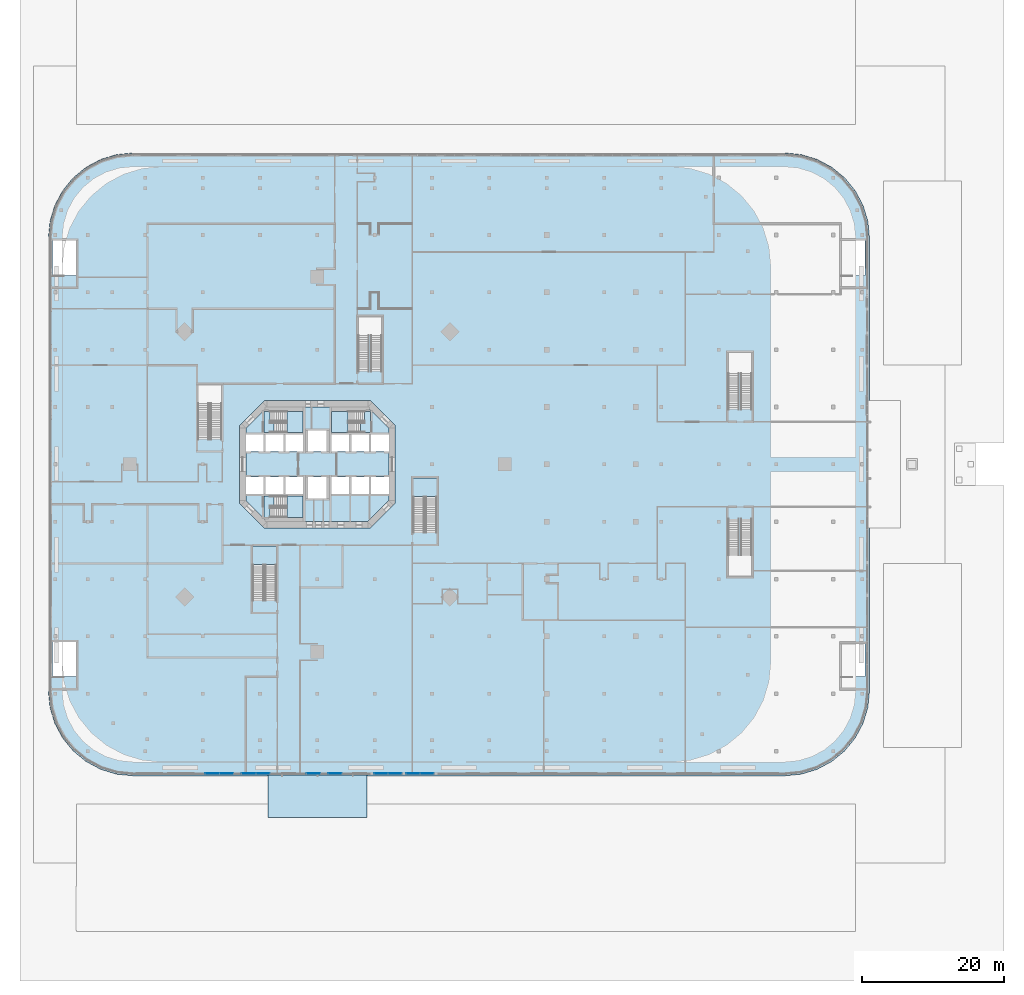
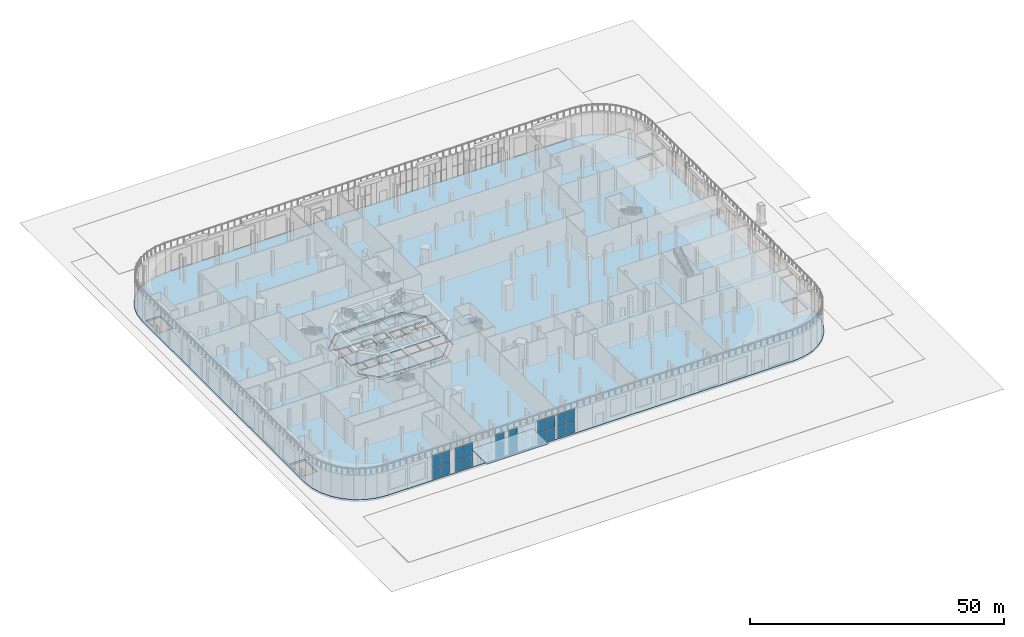
# One storey, part 7 of 32: 21 plates, 13 slabs, 11 elements without a shape of their own.
"""IFC4 building model written with IfcOpenShell, lengths in metres."""

import ifcopenshell
import ifcopenshell.guid

model = None  # the IFC model being written
_history = None  # IfcOwnerHistory: only IFC2X3 demands one
_inside = {}  # id of a spatial element -> (the spatial element, [elements in it])
_under = {}  # id of a project, library or spatial element -> (it, [spatial elements below it])
_declared = {}  # id of a project -> (the project, [libraries it declares])
_typed = {}  # id of a type object -> (the type object, [elements of that type])
_made_of = {}  # id of a material, layer set ... -> (it, [elements and type objects made of it])


def new_model(schema):
    """Start an empty IFC model of exactly this schema.

    Asked for "IFC4X3", IfcOpenShell would pick the latest addendum, in which some entities
    have other attributes; the version numbers below select the first issue.
    IFC2X3 requires an IfcOwnerHistory on every rooted entity: one is made here for all.
    """
    global model, _history
    if schema == "IFC4X3":
        model = ifcopenshell.file(schema_version=(4, 3, 0, 0))
    else:
        model = ifcopenshell.file(schema=schema)
    _inside.clear()
    _under.clear()
    _declared.clear()
    _typed.clear()
    _made_of.clear()
    _history = None
    if model.schema == "IFC2X3":
        org = make("IfcOrganization", Name="unknown")
        user = make(
            "IfcPersonAndOrganization",
            ThePerson=make("IfcPerson", FamilyName="unknown"),
            TheOrganization=org,
        )
        app = make(
            "IfcApplication",
            ApplicationDeveloper=org,
            Version="unknown",
            ApplicationFullName="unknown",
            ApplicationIdentifier="unknown",
        )
        _history = make(
            "IfcOwnerHistory",
            OwningUser=user,
            OwningApplication=app,
            ChangeAction="ADDED",
            CreationDate=0,
        )
    return model


def make(cls, **values):
    """One entity of the class cls with the attributes given. An attribute that is None is left unset."""
    return model.create_entity(
        cls, **{name: value for name, value in values.items() if value is not None}
    )


def rooted(cls, **values):
    """An entity with a GlobalId (a new one), such as an element, a storey or a relation."""
    return make(cls, GlobalId=ifcopenshell.guid.new(), OwnerHistory=_history, **values)


def si_unit(unit_type, name, prefix=None):
    """IfcSIUnit, for example si_unit("LENGTHUNIT", "METRE", prefix="MILLI")."""
    return make("IfcSIUnit", UnitType=unit_type, Prefix=prefix, Name=name)


def assignment(units):
    """IfcUnitAssignment: the units of a project."""
    return None if units is None else make("IfcUnitAssignment", Units=units)


def point(xyz):
    """IfcCartesianPoint."""
    return None if xyz is None else make("IfcCartesianPoint", Coordinates=xyz)


def direction(xyz):
    """IfcDirection."""
    return None if xyz is None else make("IfcDirection", DirectionRatios=xyz)


def frame(location, z_axis=None, x_axis=None):
    """IfcAxis2Placement3D, a coordinate frame: its origin and axes. An axis left out is left unset."""
    return make(
        "IfcAxis2Placement3D",
        Location=point(location),
        Axis=direction(z_axis),
        RefDirection=direction(x_axis),
    )


def frame_2d(location, x_axis=None):
    """IfcAxis2Placement2D, a coordinate frame in the plane: its origin and x axis."""
    return make(
        "IfcAxis2Placement2D", Location=point(location), RefDirection=direction(x_axis)
    )


def origin():
    """The frame at (0, 0, 0) with its axes left unset."""
    return frame((0.0, 0.0, 0.0))


def origin_2d():
    """The frame at (0, 0) in the plane with its x axis left unset."""
    return frame_2d((0.0, 0.0))


def place(relative_to, where):
    """IfcLocalPlacement: puts the frame where relative to a parent placement (None: the world)."""
    return make(
        "IfcLocalPlacement", PlacementRelTo=relative_to, RelativePlacement=where
    )


def context(
    kind, dimensions, precision=None, world=None, true_north=None, identifier=None
):
    """IfcGeometricRepresentationContext, for example the 3D "Model" context."""
    return make(
        "IfcGeometricRepresentationContext",
        ContextIdentifier=identifier,
        ContextType=kind,
        CoordinateSpaceDimension=dimensions,
        Precision=precision,
        WorldCoordinateSystem=world,
        TrueNorth=true_north,
    )


def subcontext(parent, identifier, kind, view, scale=None):
    """IfcGeometricRepresentationSubContext, for example "Body" below "Model"."""
    return make(
        "IfcGeometricRepresentationSubContext",
        ContextIdentifier=identifier,
        ContextType=kind,
        ParentContext=parent,
        TargetScale=scale,
        TargetView=view,
    )


def project(units=None, contexts=None):
    """IfcProject with its units and contexts."""
    return rooted(
        "IfcProject",
        Name="project",
        RepresentationContexts=contexts,
        UnitsInContext=assignment(units),
    )


def spatial(cls, under=None, at=None, **own):
    """A site, building, storey or space (cls), placed at a placement, below another one or the project."""
    s = rooted(cls, ObjectPlacement=at, **own)
    if under is not None:
        _under.setdefault(under.id(), (under, []))[1].append(s)
    return s


def polyline(points):
    """IfcPolyline through the points."""
    return make("IfcPolyline", Points=[point(p) for p in points])


def profile(cls, at=None, kind="AREA", **sizes):
    """A parametric profile (cls). Its sizes go by their IFC names, for example OverallWidth=200.0."""
    return make(cls, ProfileType=kind, Position=at, **sizes)


def rectangle(**sizes):
    """IfcRectangleProfileDef."""
    return profile("IfcRectangleProfileDef", **sizes)


def outline(outer, holes=None, kind="AREA"):
    """IfcArbitraryClosedProfileDef: a profile drawn as a closed curve; with holes, ...WithVoids."""
    if holes is None:
        return make("IfcArbitraryClosedProfileDef", ProfileType=kind, OuterCurve=outer)
    return make(
        "IfcArbitraryProfileDefWithVoids",
        ProfileType=kind,
        OuterCurve=outer,
        InnerCurves=holes,
    )


def extrude(swept, where, along, depth):
    """IfcExtrudedAreaSolid: the profile swept, set in the frame where, extruded along a direction by depth."""
    return make(
        "IfcExtrudedAreaSolid",
        SweptArea=swept,
        Position=where,
        ExtrudedDirection=direction(along),
        Depth=depth,
    )


def shape(context_of_items, identifier, shape_type, items):
    """IfcShapeRepresentation: the items that make up one representation, for example the "Body"."""
    return make(
        "IfcShapeRepresentation",
        ContextOfItems=context_of_items,
        RepresentationIdentifier=identifier,
        RepresentationType=shape_type,
        Items=items,
    )


def material(Name=None, Category=None):
    """IfcMaterial."""
    return make("IfcMaterial", Name=Name, Category=Category)


def layer(
    of_material, thickness, ventilated=None, Name=None, Category=None, Priority=None
):
    """IfcMaterialLayer: one layer of a wall or slab, of a material (None: an air gap)."""
    return make(
        "IfcMaterialLayer",
        Material=of_material,
        LayerThickness=thickness,
        IsVentilated=ventilated,
        Name=Name,
        Category=Category,
        Priority=Priority,
    )


def layer_set(layers, Name=None):
    """IfcMaterialLayerSet."""
    return make("IfcMaterialLayerSet", MaterialLayers=layers, LayerSetName=Name)


def made_of(thing, what):
    """Note that an element or type object is made of a material, layer set ...; save() writes the relation."""
    if what is not None:
        _made_of.setdefault(what.id(), (what, []))[1].append(thing)
    return thing


def type_object(cls, material=None, **own):
    """A type object (cls), such as IfcWallType, which elements share."""
    return made_of(rooted(cls, **own), material)


def element(
    cls,
    number,
    at=None,
    inside=None,
    cuts=None,
    type_object=None,
    material=None,
    context=None,
    identifier="Body",
    shape_type=None,
    held_by="IfcProductDefinitionShape",
    body=None,
    shapes=None,
    **own,
):
    """One element of the class cls, such as IfcWall. Its Tag is "e" and its number.

    at: its placement. inside: the storey or other place that contains it. cuts: it is an
    opening in that element (IfcRelVoidsElement). A single representation is given by context,
    identifier, shape_type and body (its items); several are given by shapes. held_by: the class
    of the entity that holds the representations. save() writes the other relations.
    """
    e = rooted(cls, Tag="e%d" % number, ObjectPlacement=at, **own)
    if body is not None:
        shapes = [shape(context, identifier, shape_type, body)]
    if shapes is not None:
        e.Representation = make(held_by, Representations=shapes)
    if inside is not None:
        _inside.setdefault(inside.id(), (inside, []))[1].append(e)
    if cuts is not None:
        rooted(
            "IfcRelVoidsElement", RelatingBuildingElement=cuts, RelatedOpeningElement=e
        )
    if type_object is not None:
        _typed.setdefault(type_object.id(), (type_object, []))[1].append(e)
    return made_of(e, material)


def aggregate(whole, parts):
    """IfcRelAggregates: a whole, such as a stair, and the parts it consists of."""
    return rooted("IfcRelAggregates", RelatingObject=whole, RelatedObjects=parts)


def save(model, path):
    """Write the relations noted so far, then the file.

    IfcRelAggregates (storeys below a building ...), IfcRelContainedInSpatialStructure (elements
    in a storey), IfcRelDefinesByType, IfcRelAssociatesMaterial and IfcRelDeclares: one each for
    every whole, place, type object, material and project.
    """
    for whole, parts in _under.values():
        aggregate(whole, parts)
    for where, things in _inside.values():
        rooted(
            "IfcRelContainedInSpatialStructure",
            RelatedElements=things,
            RelatingStructure=where,
        )
    for kind, things in _typed.values():
        rooted("IfcRelDefinesByType", RelatedObjects=things, RelatingType=kind)
    for what, things in _made_of.values():
        rooted("IfcRelAssociatesMaterial", RelatedObjects=things, RelatingMaterial=what)
    for by, libraries in _declared.values():
        rooted("IfcRelDeclares", RelatingContext=by, RelatedDefinitions=libraries)
    model.write(path)


model = new_model("IFC4")

# Units and contexts
model_context = context("Model", 3, precision=1e-05, world=origin(), true_north=direction((0.0, 1.0)))
body_context = subcontext(model_context, "Body", "Model", "MODEL_VIEW")
ifc_project = project(units=[si_unit("LENGTHUNIT", "METRE"), si_unit("AREAUNIT", "SQUARE_METRE"), si_unit("VOLUMEUNIT", "CUBIC_METRE"), si_unit("PLANEANGLEUNIT", "RADIAN"), si_unit("MASSUNIT", "GRAM", prefix="KILO")], contexts=[model_context])

# Site, building, storey
site_placement = place(None, origin())
site = spatial("IfcSite", under=ifc_project, at=site_placement, CompositionType="ELEMENT")
building_placement = place(site_placement, origin())
building = spatial("IfcBuilding", under=site, at=building_placement, Name="Torre Triforio", CompositionType="ELEMENT")
storey_placement = place(building_placement, origin())
storey = spatial("IfcBuildingStorey", under=building, at=storey_placement, Name="L00", CompositionType="ELEMENT", Elevation=0.0)

# Slab
ifc_material_1 = material(Name="Concrete C60", Category="concrete")
ifc_layer_1 = layer(ifc_material_1, 0.320068359375)
ifc_layer_set_1 = layer_set([ifc_layer_1], Name="Concrete C60")
slab_type_1 = type_object("IfcSlabType", Name="Core floor slab 320 mm C60 REI 120", PredefinedType="FLOOR", material=ifc_layer_set_1)
slab_1_placement = place(storey_placement, frame((0.0, 0.0, -0.320068359375)))
element("IfcSlab", 1, at=slab_1_placement, inside=storey, type_object=slab_type_1, Name="Core floor slab", PredefinedType="FLOOR", context=body_context, shape_type="SweptSolid", body=[
    extrude(outline(polyline([(10.10009765625, -5.10009765625), (7.10009765625, -8.10009765625), (-7.10009765625, -8.10009765625), (-10.10009765625, -5.10009765625), (-10.10009765625, -4.199951171875), (-7.60009765625, -4.199951171875), (-7.60009765625, -1.800048828125), (-10.10009765625, -1.800048828125), (-10.10009765625, 1.800048828125), (-7.60009765625, 1.800048828125), (-7.60009765625, 4.199951171875), (-10.10009765625, 4.199951171875), (-10.10009765625, 5.10009765625), (-7.10009765625, 8.10009765625), (7.10009765625, 8.10009765625), (10.10009765625, 5.10009765625), (10.10009765625, 4.199951171875), (7.60009765625, 4.199951171875), (7.60009765625, 1.800048828125), (10.10009765625, 1.800048828125), (10.10009765625, -1.800048828125), (7.60009765625, -1.800048828125), (7.60009765625, -4.199951171875), (10.10009765625, -4.199951171875), (10.10009765625, -5.10009765625)]), holes=[polyline([(-4.800048828125, -1.800048828125), (-7.300048828125, -1.800048828125), (-7.300048828125, -4.199951171875), (-4.800048828125, -4.199951171875), (-4.800048828125, -1.800048828125)]), polyline([(-2.0, -1.800048828125), (-4.5, -1.800048828125), (-4.5, -4.199951171875), (-2.0, -4.199951171875), (-2.0, -1.800048828125)]), polyline([(-4.800048828125, 4.199951171875), (-7.300048828125, 4.199951171875), (-7.300048828125, 1.800048828125), (-4.800048828125, 1.800048828125), (-4.800048828125, 4.199951171875)]), polyline([(-2.0, 4.199951171875), (-4.5, 4.199951171875), (-4.5, 1.800048828125), (-2.0, 1.800048828125), (-2.0, 4.199951171875)]), polyline([(1.300048828125, 4.800048828125), (-1.300048828125, 4.800048828125), (-1.300048828125, 1.800048828125), (1.300048828125, 1.800048828125), (1.300048828125, 4.800048828125)]), polyline([(-1.300048828125, -1.800048828125), (-1.300048828125, -4.800048828125), (1.300048828125, -4.800048828125), (1.300048828125, -1.800048828125), (-1.300048828125, -1.800048828125)]), polyline([(4.5, -1.800048828125), (2.0, -1.800048828125), (2.0, -4.199951171875), (4.5, -4.199951171875), (4.5, -1.800048828125)]), polyline([(7.300048828125, -1.800048828125), (4.800048828125, -1.800048828125), (4.800048828125, -4.199951171875), (7.300048828125, -4.199951171875), (7.300048828125, -1.800048828125)]), polyline([(4.5, 4.199951171875), (2.0, 4.199951171875), (2.0, 1.800048828125), (4.5, 1.800048828125), (4.5, 4.199951171875)]), polyline([(7.300048828125, 4.199951171875), (4.800048828125, 4.199951171875), (4.800048828125, 1.800048828125), (7.300048828125, 1.800048828125), (7.300048828125, 4.199951171875)])]), origin(), (0.0, 0.0, 1.0), 0.320068359375),
])

# Curtain wall, plates
ifc_material_2 = material(Name="Aluminium mullion and transom frame with clear laminated glass", Category="aluminium")
curtain_wall_type = type_object("IfcCurtainWallType", Name="Studio foyer curtain wall ECW2", PredefinedType="NOTDEFINED", material=ifc_material_2)
curtain_wall_1_placement = place(storey_placement, origin())
curtain_wall_1 = element("IfcCurtainWall", 2, at=curtain_wall_1_placement, inside=storey, type_object=curtain_wall_type, Name="Studio foyer curtain wall L00 36.1.2.1", PredefinedType="NOTDEFINED")
ifc_material_3 = material(Name="Clear laminated glass", Category="glass")
ifc_layer_2 = layer(ifc_material_3, 0.030029296875)
ifc_layer_set_2 = layer_set([ifc_layer_2], Name="Clear laminated glass")
plate_type_1 = type_object("IfcPlateType", Name="ECW2 glass panel 30", PredefinedType="CURTAIN_PANEL", material=ifc_layer_set_2)
plate_1_placement = place(storey_placement, frame((-14.855712890625, -43.675048828125, 0.06982421875), z_axis=(0.0, 0.0, 1.0), x_axis=(1.0, 0.0, 0.0)))
plate_1 = element("IfcPlate", 3, at=plate_1_placement, type_object=plate_type_1, Name="ECW2 panel 1.1", PredefinedType="CURTAIN_PANEL", context=body_context, shape_type="SweptSolid", body=[
    extrude(rectangle(XDim=1.93505859375, YDim=0.030029296875, at=origin_2d()), origin(), (0.0, 0.0, 1.0), 2.735107421875),
])
plate_2_placement = place(storey_placement, frame((-14.855712890625, -43.675048828125, 2.875), z_axis=(0.0, 0.0, 1.0), x_axis=(1.0, 0.0, 0.0)))
plate_2 = element("IfcPlate", 4, at=plate_2_placement, type_object=plate_type_1, Name="ECW2 panel 1.2", PredefinedType="CURTAIN_PANEL", context=body_context, shape_type="SweptSolid", body=[
    extrude(rectangle(XDim=1.93505859375, YDim=0.030029296875, at=origin_2d()), origin(), (0.0, 0.0, 1.0), 2.735107421875),
])
plate_3_placement = place(storey_placement, frame((-12.86083984375, -43.675048828125, 0.06982421875), z_axis=(0.0, 0.0, 1.0), x_axis=(1.0, 0.0, 0.0)))
plate_3 = element("IfcPlate", 5, at=plate_3_placement, type_object=plate_type_1, Name="ECW2 panel 2.1", PredefinedType="CURTAIN_PANEL", context=body_context, shape_type="SweptSolid", body=[
    extrude(rectangle(XDim=1.93505859375, YDim=0.030029296875, at=origin_2d()), origin(), (0.0, 0.0, 1.0), 2.735107421875),
])
plate_4_placement = place(storey_placement, frame((-12.86083984375, -43.675048828125, 2.875), z_axis=(0.0, 0.0, 1.0), x_axis=(1.0, 0.0, 0.0)))
plate_4 = element("IfcPlate", 6, at=plate_4_placement, type_object=plate_type_1, Name="ECW2 panel 2.2", PredefinedType="CURTAIN_PANEL", context=body_context, shape_type="SweptSolid", body=[
    extrude(rectangle(XDim=1.93505859375, YDim=0.030029296875, at=origin_2d()), origin(), (0.0, 0.0, 1.0), 2.735107421875),
])
aggregate(curtain_wall_1, [plate_1, plate_2, plate_3, plate_4])

curtain_wall_2_placement = place(storey_placement, origin())
curtain_wall_2 = element("IfcCurtainWall", 7, at=curtain_wall_2_placement, inside=storey, type_object=curtain_wall_type, Name="Studio foyer curtain wall L00 36.1.2.2", PredefinedType="NOTDEFINED")
plate_5_placement = place(storey_placement, frame((-9.689208984375, -43.675048828125, 0.06982421875), z_axis=(0.0, 0.0, 1.0), x_axis=(1.0, 0.0, 0.0)))
plate_5 = element("IfcPlate", 8, at=plate_5_placement, type_object=plate_type_1, Name="ECW2 panel 1.1", PredefinedType="CURTAIN_PANEL", context=body_context, shape_type="SweptSolid", body=[
    extrude(rectangle(XDim=1.93505859375, YDim=0.030029296875, at=origin_2d()), origin(), (0.0, 0.0, 1.0), 2.735107421875),
])
plate_6_placement = place(storey_placement, frame((-9.689208984375, -43.675048828125, 2.875), z_axis=(0.0, 0.0, 1.0), x_axis=(1.0, 0.0, 0.0)))
plate_6 = element("IfcPlate", 9, at=plate_6_placement, type_object=plate_type_1, Name="ECW2 panel 1.2", PredefinedType="CURTAIN_PANEL", context=body_context, shape_type="SweptSolid", body=[
    extrude(rectangle(XDim=1.93505859375, YDim=0.030029296875, at=origin_2d()), origin(), (0.0, 0.0, 1.0), 2.735107421875),
])
plate_7_placement = place(storey_placement, frame((-7.694091796875, -43.675048828125, 0.06982421875), z_axis=(0.0, 0.0, 1.0), x_axis=(1.0, 0.0, 0.0)))
plate_7 = element("IfcPlate", 10, at=plate_7_placement, type_object=plate_type_1, Name="ECW2 panel 2.1", PredefinedType="CURTAIN_PANEL", context=body_context, shape_type="SweptSolid", body=[
    extrude(rectangle(XDim=1.93505859375, YDim=0.030029296875, at=origin_2d()), origin(), (0.0, 0.0, 1.0), 2.735107421875),
])
plate_8_placement = place(storey_placement, frame((-7.694091796875, -43.675048828125, 2.875), z_axis=(0.0, 0.0, 1.0), x_axis=(1.0, 0.0, 0.0)))
plate_8 = element("IfcPlate", 11, at=plate_8_placement, type_object=plate_type_1, Name="ECW2 panel 2.2", PredefinedType="CURTAIN_PANEL", context=body_context, shape_type="SweptSolid", body=[
    extrude(rectangle(XDim=1.93505859375, YDim=0.030029296875, at=origin_2d()), origin(), (0.0, 0.0, 1.0), 2.735107421875),
])
aggregate(curtain_wall_2, [plate_5, plate_6, plate_7, plate_8])

curtain_wall_3_placement = place(storey_placement, origin())
curtain_wall_3 = element("IfcCurtainWall", 12, at=curtain_wall_3_placement, inside=storey, type_object=curtain_wall_type, Name="Studio foyer curtain wall L00 36.3.1.1", PredefinedType="NOTDEFINED")
plate_9_placement = place(storey_placement, frame((-0.53759765625, -43.675048828125, 0.06982421875), z_axis=(0.0, 0.0, 1.0), x_axis=(1.0, 0.0, 0.0)))
plate_9 = element("IfcPlate", 13, at=plate_9_placement, type_object=plate_type_1, Name="ECW2 panel 1.1", PredefinedType="CURTAIN_PANEL", context=body_context, shape_type="SweptSolid", body=[
    extrude(rectangle(XDim=1.905029296875, YDim=0.030029296875, at=origin_2d()), origin(), (0.0, 0.0, 1.0), 2.735107421875),
])
plate_10_placement = place(storey_placement, frame((-0.53759765625, -43.675048828125, 2.875), z_axis=(0.0, 0.0, 1.0), x_axis=(1.0, 0.0, 0.0)))
plate_10 = element("IfcPlate", 14, at=plate_10_placement, type_object=plate_type_1, Name="ECW2 panel 1.2", PredefinedType="CURTAIN_PANEL", context=body_context, shape_type="SweptSolid", body=[
    extrude(rectangle(XDim=1.905029296875, YDim=0.030029296875, at=origin_2d()), origin(), (0.0, 0.0, 1.0), 2.735107421875),
])
aggregate(curtain_wall_3, [plate_9, plate_10])

curtain_wall_4_placement = place(storey_placement, origin())
curtain_wall_4 = element("IfcCurtainWall", 15, at=curtain_wall_4_placement, inside=storey, type_object=curtain_wall_type, Name="Studio foyer curtain wall L00 36.3.1.2", PredefinedType="NOTDEFINED")
plate_11_placement = place(storey_placement, frame((2.487548828125, -43.675048828125, 0.06982421875), z_axis=(0.0, 0.0, 1.0), x_axis=(1.0, 0.0, 0.0)))
plate_11 = element("IfcPlate", 16, at=plate_11_placement, type_object=plate_type_1, Name="ECW2 panel 1.1", PredefinedType="CURTAIN_PANEL", context=body_context, shape_type="SweptSolid", body=[
    extrude(rectangle(XDim=1.905029296875, YDim=0.030029296875, at=origin_2d()), origin(), (0.0, 0.0, 1.0), 2.735107421875),
])
plate_12_placement = place(storey_placement, frame((2.487548828125, -43.675048828125, 2.875), z_axis=(0.0, 0.0, 1.0), x_axis=(1.0, 0.0, 0.0)))
plate_12 = element("IfcPlate", 17, at=plate_12_placement, type_object=plate_type_1, Name="ECW2 panel 1.2", PredefinedType="CURTAIN_PANEL", context=body_context, shape_type="SweptSolid", body=[
    extrude(rectangle(XDim=1.905029296875, YDim=0.030029296875, at=origin_2d()), origin(), (0.0, 0.0, 1.0), 2.735107421875),
])
aggregate(curtain_wall_4, [plate_11, plate_12])

curtain_wall_5_placement = place(storey_placement, origin())
curtain_wall_5 = element("IfcCurtainWall", 18, at=curtain_wall_5_placement, inside=storey, type_object=curtain_wall_type, Name="Studio foyer curtain wall L00 36.5.1.1", PredefinedType="NOTDEFINED")
plate_13_placement = place(storey_placement, frame((8.994140625, -43.675048828125, 0.06982421875), z_axis=(0.0, 0.0, 1.0), x_axis=(1.0, 0.0, 0.0)))
plate_13 = element("IfcPlate", 19, at=plate_13_placement, type_object=plate_type_1, Name="ECW2 panel 1.1", PredefinedType="CURTAIN_PANEL", context=body_context, shape_type="SweptSolid", body=[
    extrude(rectangle(XDim=1.93505859375, YDim=0.030029296875, at=origin_2d()), origin(), (0.0, 0.0, 1.0), 2.735107421875),
])
plate_14_placement = place(storey_placement, frame((8.994140625, -43.675048828125, 2.875), z_axis=(0.0, 0.0, 1.0), x_axis=(1.0, 0.0, 0.0)))
plate_14 = element("IfcPlate", 20, at=plate_14_placement, type_object=plate_type_1, Name="ECW2 panel 1.2", PredefinedType="CURTAIN_PANEL", context=body_context, shape_type="SweptSolid", body=[
    extrude(rectangle(XDim=1.93505859375, YDim=0.030029296875, at=origin_2d()), origin(), (0.0, 0.0, 1.0), 2.735107421875),
])
plate_15_placement = place(storey_placement, frame((10.9892578125, -43.675048828125, 0.06982421875), z_axis=(0.0, 0.0, 1.0), x_axis=(1.0, 0.0, 0.0)))
plate_15 = element("IfcPlate", 21, at=plate_15_placement, type_object=plate_type_1, Name="ECW2 panel 2.1", PredefinedType="CURTAIN_PANEL", context=body_context, shape_type="SweptSolid", body=[
    extrude(rectangle(XDim=1.93505859375, YDim=0.030029296875, at=origin_2d()), origin(), (0.0, 0.0, 1.0), 2.735107421875),
])
plate_16_placement = place(storey_placement, frame((10.9892578125, -43.675048828125, 2.875), z_axis=(0.0, 0.0, 1.0), x_axis=(1.0, 0.0, 0.0)))
plate_16 = element("IfcPlate", 22, at=plate_16_placement, type_object=plate_type_1, Name="ECW2 panel 2.2", PredefinedType="CURTAIN_PANEL", context=body_context, shape_type="SweptSolid", body=[
    extrude(rectangle(XDim=1.93505859375, YDim=0.030029296875, at=origin_2d()), origin(), (0.0, 0.0, 1.0), 2.735107421875),
])
aggregate(curtain_wall_5, [plate_13, plate_14, plate_15, plate_16])

curtain_wall_6_placement = place(storey_placement, origin())
curtain_wall_6 = element("IfcCurtainWall", 23, at=curtain_wall_6_placement, inside=storey, type_object=curtain_wall_type, Name="Studio foyer curtain wall L00 36.5.1.2", PredefinedType="NOTDEFINED")
plate_17_placement = place(storey_placement, frame((13.5107421875, -43.675048828125, 0.06982421875), z_axis=(0.0, 0.0, 1.0), x_axis=(1.0, 0.0, 0.0)))
plate_17 = element("IfcPlate", 24, at=plate_17_placement, type_object=plate_type_1, Name="ECW2 panel 1.1", PredefinedType="CURTAIN_PANEL", context=body_context, shape_type="SweptSolid", body=[
    extrude(rectangle(XDim=1.93505859375, YDim=0.030029296875, at=origin_2d()), origin(), (0.0, 0.0, 1.0), 2.735107421875),
])
plate_18_placement = place(storey_placement, frame((13.5107421875, -43.675048828125, 2.875), z_axis=(0.0, 0.0, 1.0), x_axis=(1.0, 0.0, 0.0)))
plate_18 = element("IfcPlate", 25, at=plate_18_placement, type_object=plate_type_1, Name="ECW2 panel 1.2", PredefinedType="CURTAIN_PANEL", context=body_context, shape_type="SweptSolid", body=[
    extrude(rectangle(XDim=1.93505859375, YDim=0.030029296875, at=origin_2d()), origin(), (0.0, 0.0, 1.0), 2.735107421875),
])
plate_19_placement = place(storey_placement, frame((15.505859375, -43.675048828125, 0.06982421875), z_axis=(0.0, 0.0, 1.0), x_axis=(1.0, 0.0, 0.0)))
plate_19 = element("IfcPlate", 26, at=plate_19_placement, type_object=plate_type_1, Name="ECW2 panel 2.1", PredefinedType="CURTAIN_PANEL", context=body_context, shape_type="SweptSolid", body=[
    extrude(rectangle(XDim=1.93505859375, YDim=0.030029296875, at=origin_2d()), origin(), (0.0, 0.0, 1.0), 2.735107421875),
])
plate_20_placement = place(storey_placement, frame((15.505859375, -43.675048828125, 2.875), z_axis=(0.0, 0.0, 1.0), x_axis=(1.0, 0.0, 0.0)))
plate_20 = element("IfcPlate", 27, at=plate_20_placement, type_object=plate_type_1, Name="ECW2 panel 2.2", PredefinedType="CURTAIN_PANEL", context=body_context, shape_type="SweptSolid", body=[
    extrude(rectangle(XDim=1.93505859375, YDim=0.030029296875, at=origin_2d()), origin(), (0.0, 0.0, 1.0), 2.735107421875),
])
aggregate(curtain_wall_6, [plate_17, plate_18, plate_19, plate_20])

# Stair, slab
ifc_material_4 = material(Name="Concrete C40", Category="concrete")
stair_type_1 = type_object("IfcStairType", Name="Egress stair 1400 clear", PredefinedType="NOTDEFINED", material=ifc_material_4)
stair_1_placement = place(storey_placement, origin())
stair_1 = element("IfcStair", 28, at=stair_1_placement, inside=storey, type_object=stair_type_1, Name="Exit stair PS2 L00 to L01", PredefinedType="NOTDEFINED")
ifc_layer_3 = layer(ifc_material_4, 0.199951171875)
ifc_layer_set_3 = layer_set([ifc_layer_3], Name="Concrete C40")
slab_type_2 = type_object("IfcSlabType", Name="Egress stair landing 200", PredefinedType="LANDING", material=ifc_layer_set_3)
slab_2_placement = place(storey_placement, frame((0.0, 0.0, 2.800048828125)))
slab_2 = element("IfcSlab", 29, at=slab_2_placement, type_object=slab_type_2, Name="PS2 landing 1", PredefinedType="LANDING", context=body_context, shape_type="SweptSolid", body=[
    extrude(outline(polyline([(13.52490234375, -4.574951171875), (16.875, -4.574951171875), (16.875, -1.925048828125), (13.52490234375, -1.925048828125), (13.52490234375, -4.574951171875)])), origin(), (0.0, 0.0, 1.0), 0.199951171875),
])
aggregate(stair_1, [slab_2])

stair_2_placement = place(storey_placement, origin())
stair_2 = element("IfcStair", 30, at=stair_2_placement, inside=storey, type_object=stair_type_1, Name="Exit stair PS3 L00 to L01", PredefinedType="NOTDEFINED")
slab_3_placement = place(storey_placement, frame((0.0, 0.0, 2.800048828125)))
slab_3 = element("IfcSlab", 31, at=slab_3_placement, type_object=slab_type_2, Name="PS3 landing 1", PredefinedType="LANDING", context=body_context, shape_type="SweptSolid", body=[
    extrude(outline(polyline([(-9.125, -14.175048828125), (-5.77490234375, -14.175048828125), (-5.77490234375, -11.52490234375), (-9.125, -11.52490234375), (-9.125, -14.175048828125)])), origin(), (0.0, 0.0, 1.0), 0.199951171875),
])
aggregate(stair_2, [slab_3])

# Plate
ifc_material_5 = material(Name="Stainless steel AISI 316 and laminated glass", Category="steel")
ifc_layer_4 = layer(ifc_material_5, 0.199951171875)
ifc_layer_set_4 = layer_set([ifc_layer_4], Name="Stainless steel AISI 316 and laminated glass")
plate_type_2 = type_object("IfcPlateType", Name="Entrance canopy plate 200", PredefinedType="SHEET", material=ifc_layer_set_4)
plate_21_placement = place(storey_placement, frame((0.0, -46.85009765625, 4.2001953125), z_axis=(0.0, 0.0, 1.0), x_axis=(1.0, 0.0, 0.0)))
element("IfcPlate", 32, at=plate_21_placement, inside=storey, type_object=plate_type_2, Name="Canopy drop-off", PredefinedType="SHEET", context=body_context, shape_type="SweptSolid", body=[
    extrude(rectangle(XDim=14.0, YDim=6.0, at=origin_2d()), origin(), (0.0, 0.0, 1.0), 0.199951171875),
])

# Slab
ifc_material_6 = material(Name="Concrete C50", Category="concrete")
ifc_layer_5 = layer(ifc_material_6, 0.449951171875)
ifc_layer_set_5 = layer_set([ifc_layer_5], Name="Concrete C50")
slab_type_3 = type_object("IfcSlabType", Name="Floor slab 450 C50", PredefinedType="FLOOR", material=ifc_layer_set_5)
slab_4_placement = place(storey_placement, frame((0.0, 0.0, -0.449951171875)))
element("IfcSlab", 33, at=slab_4_placement, inside=storey, type_object=slab_type_3, Name="SL.L00", PredefinedType="FLOOR", context=body_context, shape_type="SweptSolid", body=[
    extrude(outline(polyline([(-28.341064453125, -43.76953125), (-26.0, -44.0), (66.0, -44.0), (68.341064453125, -43.76953125), (70.59228515625, -43.086669921875), (72.666748046875, -41.9775390625), (74.4853515625, -40.4853515625), (75.9775390625, -38.666748046875), (77.086669921875, -36.59228515625), (77.76953125, -34.341064453125), (78.0, -32.0), (78.0, 32.0), (77.76953125, 34.341064453125), (77.086669921875, 36.59228515625), (75.9775390625, 38.666748046875), (74.4853515625, 40.4853515625), (72.666748046875, 41.9775390625), (70.59228515625, 43.086669921875), (68.341064453125, 43.76953125), (66.0, 44.0), (-26.0, 44.0), (-28.341064453125, 43.76953125), (-30.59228515625, 43.086669921875), (-32.666748046875, 41.9775390625), (-34.4853515625, 40.4853515625), (-35.9775390625, 38.666748046875), (-37.086669921875, 36.59228515625), (-37.76953125, 34.341064453125), (-38.0, 32.0), (-38.0, -32.0), (-37.76953125, -34.341064453125), (-37.086669921875, -36.59228515625), (-35.9775390625, -38.666748046875), (-34.4853515625, -40.4853515625), (-32.666748046875, -41.9775390625), (-30.59228515625, -43.086669921875), (-28.341064453125, -43.76953125)]), holes=[polyline([(7.472900390625, 9.0), (11.0, 5.472900390625), (11.0, -5.472900390625), (7.472900390625, -9.0), (-7.472900390625, -9.0), (-11.0, -5.472900390625), (-11.0, 5.472900390625), (-7.472900390625, 9.0), (7.472900390625, 9.0)]), polyline([(74.02490234375, -25.31494140625), (77.375, -25.31494140625), (77.375, -29.9951171875), (74.02490234375, -29.9951171875), (74.02490234375, -25.31494140625)]), polyline([(-37.375, -25.074951171875), (-34.02490234375, -25.074951171875), (-34.02490234375, -29.9951171875), (-37.375, -29.9951171875), (-37.375, -25.074951171875)]), polyline([(-37.375, 31.625), (-34.02490234375, 31.625), (-34.02490234375, 26.705078125), (-37.375, 26.705078125), (-37.375, 31.625)]), polyline([(74.02490234375, 31.625), (77.375, 31.625), (77.375, 26.705078125), (74.02490234375, 26.705078125), (74.02490234375, 31.625)])]), origin(), (0.0, 0.0, 1.0), 0.449951171875),
])

# Stair, slabs
stair_type_2 = type_object("IfcStairType", Name="STAIR DOUBLE RETURN", PredefinedType="DOUBLE_RETURN_STAIR", material=ifc_material_4)
stair_3_placement = place(storey_placement, origin())
stair_3 = element("IfcStair", 34, at=stair_3_placement, inside=storey, type_object=stair_type_2, Name="Exit stair 1", PredefinedType="DOUBLE_RETURN_STAIR")
ifc_layer_6 = layer(ifc_material_4, 0.199951171875)
ifc_layer_set_6 = layer_set([ifc_layer_6], Name="Concrete C40")
slab_type_4 = type_object("IfcSlabType", Name="STAIR LANDING 200", PredefinedType="LANDING", material=ifc_layer_set_6)
slab_5_placement = place(storey_placement, frame((0.0, 0.0, 1.300048828125)))
slab_5 = element("IfcSlab", 35, at=slab_5_placement, type_object=slab_type_4, Name="ST1 landing 1", PredefinedType="LANDING", context=body_context, shape_type="SweptSolid", body=[
    extrude(outline(polyline([(-2.0, 4.5), (-2.0, 7.5), (-4.300048828125, 7.5), (-4.300048828125, 4.5), (-2.0, 4.5)])), origin(), (0.0, 0.0, 1.0), 0.199951171875),
])
slab_6_placement = place(storey_placement, frame((0.0, 0.0, 2.800048828125)))
slab_6 = element("IfcSlab", 36, at=slab_6_placement, type_object=slab_type_4, Name="ST1 landing 2", PredefinedType="LANDING", context=body_context, shape_type="SweptSolid", body=[
    extrude(outline(polyline([(-6.10009765625, 5.89990234375), (-6.10009765625, 4.5), (-6.696044921875, 4.5), (-6.699951171875, 4.5), (-7.5, 4.5), (-7.5, 7.5), (-6.696044921875, 7.5), (-6.696044921875, 5.89990234375), (-6.10009765625, 5.89990234375)])), origin(), (0.0, 0.0, 1.0), 0.199951171875),
])
slab_7_placement = place(storey_placement, frame((0.0, 0.0, 4.300048828125)))
slab_7 = element("IfcSlab", 37, at=slab_7_placement, type_object=slab_type_4, Name="ST1 landing 3", PredefinedType="LANDING", context=body_context, shape_type="SweptSolid", body=[
    extrude(outline(polyline([(-2.0, 4.5), (-2.0, 7.5), (-4.300048828125, 7.5), (-4.300048828125, 4.5), (-2.0, 4.5)])), origin(), (0.0, 0.0, 1.0), 0.199951171875),
])
aggregate(stair_3, [slab_5, slab_6, slab_7])

stair_4_placement = place(storey_placement, origin())
stair_4 = element("IfcStair", 38, at=stair_4_placement, inside=storey, type_object=stair_type_2, Name="Exit stair 2", PredefinedType="DOUBLE_RETURN_STAIR")
slab_8_placement = place(storey_placement, frame((0.0, 0.0, 1.300048828125)))
slab_8 = element("IfcSlab", 39, at=slab_8_placement, type_object=slab_type_4, Name="ST2 landing 1", PredefinedType="LANDING", context=body_context, shape_type="SweptSolid", body=[
    extrude(outline(polyline([(4.300048828125, 4.5), (4.300048828125, 7.5), (2.0, 7.5), (2.0, 4.5), (4.300048828125, 4.5)])), origin(), (0.0, 0.0, 1.0), 0.199951171875),
])
slab_9_placement = place(storey_placement, frame((0.0, 0.0, 2.800048828125)))
slab_9 = element("IfcSlab", 40, at=slab_9_placement, type_object=slab_type_4, Name="ST2 landing 2", PredefinedType="LANDING", context=body_context, shape_type="SweptSolid", body=[
    extrude(outline(polyline([(6.10009765625, 4.5), (6.10009765625, 5.89990234375), (6.696044921875, 5.89990234375), (6.696044921875, 7.5), (7.5, 7.5), (7.5, 4.5), (6.699951171875, 4.5), (6.696044921875, 4.5), (6.10009765625, 4.5)])), origin(), (0.0, 0.0, 1.0), 0.199951171875),
])
slab_10_placement = place(storey_placement, frame((0.0, 0.0, 4.300048828125)))
slab_10 = element("IfcSlab", 41, at=slab_10_placement, type_object=slab_type_4, Name="ST2 landing 3", PredefinedType="LANDING", context=body_context, shape_type="SweptSolid", body=[
    extrude(outline(polyline([(4.300048828125, 4.5), (4.300048828125, 7.5), (2.0, 7.5), (2.0, 4.5), (4.300048828125, 4.5)])), origin(), (0.0, 0.0, 1.0), 0.199951171875),
])
aggregate(stair_4, [slab_8, slab_9, slab_10])

stair_5_placement = place(storey_placement, origin())
stair_5 = element("IfcStair", 42, at=stair_5_placement, inside=storey, type_object=stair_type_2, Name="Exit stair 3", PredefinedType="DOUBLE_RETURN_STAIR")
slab_11_placement = place(storey_placement, frame((0.0, 0.0, 1.300048828125)))
slab_11 = element("IfcSlab", 43, at=slab_11_placement, type_object=slab_type_4, Name="ST3 landing 1", PredefinedType="LANDING", context=body_context, shape_type="SweptSolid", body=[
    extrude(outline(polyline([(-2.0, -7.5), (-2.0, -4.5), (-4.300048828125, -4.5), (-4.300048828125, -7.5), (-2.0, -7.5)])), origin(), (0.0, 0.0, 1.0), 0.199951171875),
])
slab_12_placement = place(storey_placement, frame((0.0, 0.0, 2.800048828125)))
slab_12 = element("IfcSlab", 44, at=slab_12_placement, type_object=slab_type_4, Name="ST3 landing 2", PredefinedType="LANDING", context=body_context, shape_type="SweptSolid", body=[
    extrude(outline(polyline([(-6.696044921875, -7.5), (-7.5, -7.5), (-7.5, -4.5), (-6.699951171875, -4.5), (-6.696044921875, -4.5), (-6.10009765625, -4.5), (-6.10009765625, -5.89990234375), (-6.696044921875, -5.89990234375), (-6.696044921875, -7.5)])), origin(), (0.0, 0.0, 1.0), 0.199951171875),
])
slab_13_placement = place(storey_placement, frame((0.0, 0.0, 4.300048828125)))
slab_13 = element("IfcSlab", 45, at=slab_13_placement, type_object=slab_type_4, Name="ST3 landing 3", PredefinedType="LANDING", context=body_context, shape_type="SweptSolid", body=[
    extrude(outline(polyline([(-2.0, -7.5), (-2.0, -4.5), (-4.300048828125, -4.5), (-4.300048828125, -7.5), (-2.0, -7.5)])), origin(), (0.0, 0.0, 1.0), 0.199951171875),
])
aggregate(stair_5, [slab_11, slab_12, slab_13])

save(model, "model.ifc")
